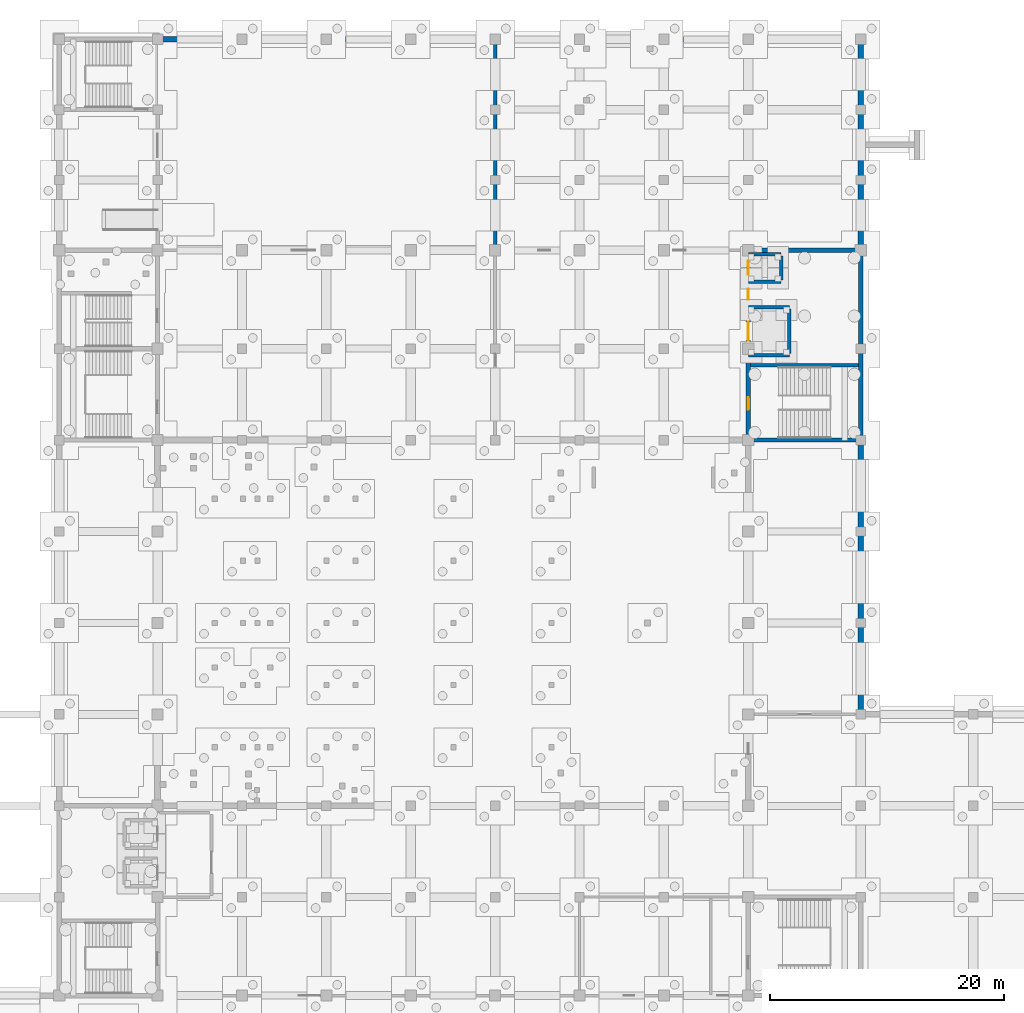
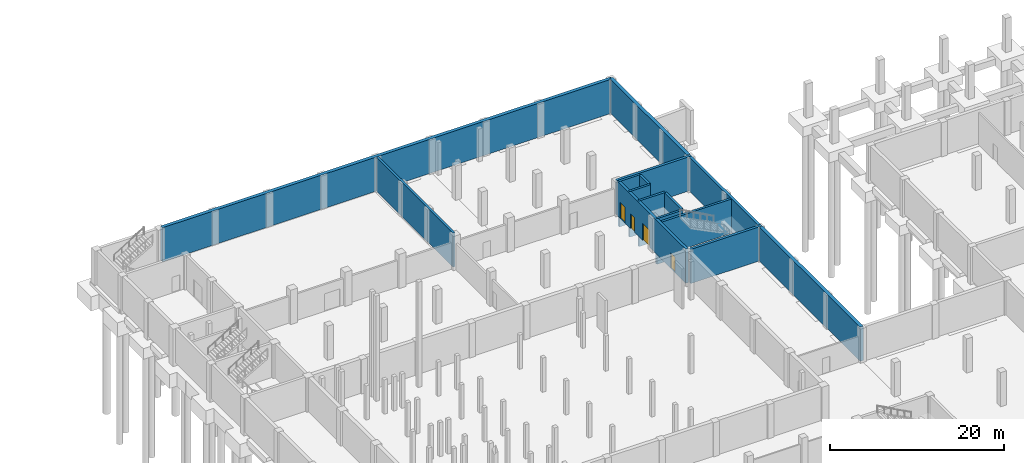
# One storey, part 33 of 42: 15 walls, 4 doors, 4 openings.
"""IFC4 building model written with IfcOpenShell, lengths in metres."""

from ifc_helpers import new_model, si_unit, direction, frame, frame_2d, origin, place, context, subcontext, project, spatial, rectangle, extrude, material, layer, layer_set, type_object, element, fill, save


model = new_model("IFC4")

# Units and contexts
model_context = context("Model", 3, precision=1e-05, world=origin(), true_north=direction((0.0, 1.0)))
body_context = subcontext(model_context, "Body", "Model", "MODEL_VIEW")
ifc_project = project(units=[si_unit("LENGTHUNIT", "METRE"), si_unit("AREAUNIT", "SQUARE_METRE"), si_unit("VOLUMEUNIT", "CUBIC_METRE"), si_unit("PLANEANGLEUNIT", "RADIAN"), si_unit("MASSUNIT", "GRAM", prefix="KILO")], contexts=[model_context])

# Site, building, storey
site_placement = place(None, origin())
site = spatial("IfcSite", under=ifc_project, at=site_placement, CompositionType="ELEMENT")
building_placement = place(site_placement, origin())
building = spatial("IfcBuilding", under=site, at=building_placement, Name="Pellamere Symphony Hall", CompositionType="ELEMENT")
storey_placement = place(building_placement, frame((0.0, 0.0, -4.800048828125)))
storey = spatial("IfcBuildingStorey", under=building, at=storey_placement, Name="B1", CompositionType="ELEMENT", Elevation=-4.800048828125)

# Walls
ifc_material_1 = material(Name="Concrete 40 MPa", Category="concrete")
ifc_layer_1 = layer(ifc_material_1, 0.449951171875, Name="Concrete 40 MPa")
ifc_layer_set_1 = layer_set([ifc_layer_1], Name="Concrete 40 MPa")
wall_type_1 = type_object("IfcWallType", Name="Structural Wall SW-01 450mm", PredefinedType="USERDEFINED", material=ifc_layer_set_1)
wall_1_placement = place(storey_placement, frame((59.050048828125, 111.60009765625, 0.0), z_axis=(0.0, 0.0, 1.0), x_axis=(1.0, 0.0, 0.0)))
element("IfcWall", 1, at=wall_1_placement, inside=storey, type_object=wall_type_1, Name="Basement Retaining Wall RW-05", ObjectType="RETAINING", PredefinedType="USERDEFINED", context=body_context, shape_type="SweptSolid", body=[
    extrude(rectangle(XDim=59.75, YDim=0.449951171875, at=frame_2d((29.875, 0.0))), origin(), (0.0, 0.0, 1.0), 4.800048828125),
])
wall_2_placement = place(storey_placement, frame((118.800048828125, 111.60009765625, 0.0), z_axis=(0.0, 0.0, 1.0), x_axis=(0.0, -1.0, 0.0)))
element("IfcWall", 2, at=wall_2_placement, inside=storey, type_object=wall_type_1, Name="Basement Retaining Wall RW-06", ObjectType="RETAINING", PredefinedType="USERDEFINED", context=body_context, shape_type="SweptSolid", body=[
    extrude(rectangle(XDim=17.75, YDim=0.449951171875, at=frame_2d((8.875, 0.0))), origin(), (0.0, 0.0, 1.0), 4.800048828125),
])
wall_3_placement = place(storey_placement, frame((118.800048828125, 77.14990234375, 0.0), z_axis=(0.0, 0.0, 1.0), x_axis=(0.0, -1.0, 0.0)))
element("IfcWall", 3, at=wall_3_placement, inside=storey, type_object=wall_type_1, Name="Basement Retaining Wall RW-07", ObjectType="RETAINING", PredefinedType="USERDEFINED", context=body_context, shape_type="SweptSolid", body=[
    extrude(rectangle(XDim=23.14990234375, YDim=0.449951171875, at=frame_2d((11.574951171875, 0.0))), origin(), (0.0, 0.0, 1.0), 4.800048828125),
])
ifc_layer_2 = layer(ifc_material_1, 0.35009765625, Name="Concrete 40 MPa")
ifc_layer_set_2 = layer_set([ifc_layer_2], Name="Concrete 40 MPa")
wall_type_2 = type_object("IfcWallType", Name="Structural Wall SW-03 350mm", PredefinedType="SHEAR", material=ifc_layer_set_2)
wall_4_placement = place(storey_placement, frame((109.52001953125, 77.39990234375, 0.0), z_axis=(0.0, 0.0, 1.0), x_axis=(1.0, 0.0, 0.0)))
element("IfcWall", 4, at=wall_4_placement, inside=storey, type_object=wall_type_2, Name="Core Shear Wall C4 S (B1)", PredefinedType="SHEAR", context=body_context, shape_type="SweptSolid", body=[
    extrude(rectangle(XDim=9.455078125, YDim=0.35009765625, at=frame_2d((4.7275390625, 0.0))), origin(), (0.0, 0.0, 1.0), 4.800048828125),
])
wall_5_placement = place(storey_placement, frame((109.02490234375, 93.60009765625, 0.0), z_axis=(0.0, 0.0, 1.0), x_axis=(1.0, 0.0, 0.0)))
element("IfcWall", 5, at=wall_5_placement, inside=storey, type_object=wall_type_2, Name="Core Shear Wall C4 N (B1)", PredefinedType="SHEAR", context=body_context, shape_type="SweptSolid", body=[
    extrude(rectangle(XDim=9.9501953125, YDim=0.35009765625, at=frame_2d((4.97509765625, 0.0))), origin(), (0.0, 0.0, 1.0), 4.800048828125),
])

# Wall, openings, doors
wall_6_placement = place(storey_placement, frame((109.199951171875, 77.574951171875, 0.0), z_axis=(0.0, 0.0, 1.0), x_axis=(0.0, 1.0, 0.0)))
wall_6 = element("IfcWall", 6, at=wall_6_placement, inside=storey, type_object=wall_type_2, Name="Core Shear Wall C4 W (B1)", PredefinedType="SHEAR", context=body_context, shape_type="SweptSolid", body=[
    extrude(rectangle(XDim=15.85009765625, YDim=0.35009765625, at=frame_2d((7.925048828125, 0.0))), origin(), (0.0, 0.0, 1.0), 4.800048828125),
])
opening_1_placement = place(wall_6_placement, frame((8.324951171875, 0.0, 0.0)))
opening_1 = element("IfcOpeningElement", 7, at=opening_1_placement, cuts=wall_6, Name="Opening LD-45", PredefinedType="OPENING", context=body_context, shape_type="SweptSolid", body=[
    extrude(rectangle(XDim=1.60009765625, YDim=2.39990234375, at=frame_2d((0.800048828125, 1.199951171875))), frame((0.0, 0.18505859375, 0.0), z_axis=(0.0, -1.0, 0.0), x_axis=(1.0, 0.0, 0.0)), (0.0, 0.0, 1.0), 0.3701171875),
])
opening_2_placement = place(wall_6_placement, frame((13.925048828125, 0.0, 0.0)))
opening_2 = element("IfcOpeningElement", 8, at=opening_2_placement, cuts=wall_6, Name="Opening LD-50", PredefinedType="OPENING", context=body_context, shape_type="SweptSolid", body=[
    extrude(rectangle(XDim=1.199951171875, YDim=2.199951171875, at=frame_2d((0.60009765625, 1.10009765625))), frame((0.0, 0.18505859375, 0.0), z_axis=(0.0, -1.0, 0.0), x_axis=(1.0, 0.0, 0.0)), (0.0, 0.0, 1.0), 0.3701171875),
])
opening_3_placement = place(wall_6_placement, frame((11.7900390625, 0.0, 0.0)))
opening_3 = element("IfcOpeningElement", 9, at=opening_3_placement, cuts=wall_6, Name="Opening FD-122", PredefinedType="OPENING", context=body_context, shape_type="SweptSolid", body=[
    extrude(rectangle(XDim=0.949951171875, YDim=2.10009765625, at=frame_2d((0.47509765625, 1.050048828125))), frame((0.0, 0.18505859375, 0.0), z_axis=(0.0, -1.0, 0.0), x_axis=(1.0, 0.0, 0.0)), (0.0, 0.0, 1.0), 0.3701171875),
])
opening_4_placement = place(wall_6_placement, frame((2.39990234375, 0.0, 0.0)))
opening_4 = element("IfcOpeningElement", 10, at=opening_4_placement, cuts=wall_6, Name="Opening SD-17", PredefinedType="OPENING", context=body_context, shape_type="SweptSolid", body=[
    extrude(rectangle(XDim=1.10009765625, YDim=2.199951171875, at=frame_2d((0.550048828125, 1.10009765625))), frame((0.0, 0.18505859375, 0.0), z_axis=(0.0, -1.0, 0.0), x_axis=(1.0, 0.0, 0.0)), (0.0, 0.0, 1.0), 0.3701171875),
])
ifc_material_2 = material(Name="Two-Hour Fire-Rated Steel Compartment Door", Category="steel")
door_type_1 = type_object("IfcDoorType", Name="Interior Door ID-FD3 950x2100", OperationType="NOTDEFINED", PredefinedType="DOOR", material=ifc_material_2)
door_1_placement = place(opening_3_placement, origin())
door_1 = element("IfcDoor", 11, at=door_1_placement, inside=storey, type_object=door_type_1, Name="Core C4 Stage Service and Riser Door (B1)", OperationType="SINGLE_SWING_LEFT", OverallHeight=2.10009765625, OverallWidth=0.949951171875, PredefinedType="DOOR", context=body_context, shape_type="SweptSolid", body=[
    extrude(rectangle(XDim=0.949951171875, YDim=2.10009765625, at=frame_2d((0.47509765625, 1.050048828125))), frame((0.0, 0.02490234375, 0.0), z_axis=(0.0, -1.0, 0.0), x_axis=(1.0, 0.0, 0.0)), (0.0, 0.0, 1.0), 0.050048828125),
])
fill(opening_3, door_1)
ifc_material_3 = material(Name="Stainless Steel AISI 316 Elevator Landing Door", Category="steel")
door_type_2 = type_object("IfcDoorType", Name="Interior Door ID-LD1 1200x2200", OperationType="NOTDEFINED", PredefinedType="DOOR", material=ifc_material_3)
door_2_placement = place(opening_2_placement, origin())
door_2 = element("IfcDoor", 12, at=door_2_placement, inside=storey, type_object=door_type_2, Name="Elevator PL6 Sliding Landing Door (B1)", OperationType="SLIDING_TO_RIGHT", OverallHeight=2.199951171875, OverallWidth=1.199951171875, PredefinedType="DOOR", context=body_context, shape_type="SweptSolid", body=[
    extrude(rectangle(XDim=1.199951171875, YDim=2.199951171875, at=frame_2d((0.60009765625, 1.10009765625))), frame((0.0, 0.02490234375, 0.0), z_axis=(0.0, -1.0, 0.0), x_axis=(1.0, 0.0, 0.0)), (0.0, 0.0, 1.0), 0.050048828125),
])
fill(opening_2, door_2)
ifc_material_4 = material(Name="Heavy-Duty Stainless Freight Elevator Landing Door", Category="steel")
door_type_3 = type_object("IfcDoorType", Name="Interior Door ID-LD2 1600x2400", OperationType="NOTDEFINED", PredefinedType="DOOR", material=ifc_material_4)
door_3_placement = place(opening_1_placement, origin())
door_3 = element("IfcDoor", 13, at=door_3_placement, inside=storey, type_object=door_type_3, Name="Elevator GL1 Sliding Landing Door (B1)", OperationType="SLIDING_TO_LEFT", OverallHeight=2.39990234375, OverallWidth=1.60009765625, PredefinedType="DOOR", context=body_context, shape_type="SweptSolid", body=[
    extrude(rectangle(XDim=1.60009765625, YDim=2.39990234375, at=frame_2d((0.800048828125, 1.199951171875))), frame((0.0, 0.02490234375, 0.0), z_axis=(0.0, -1.0, 0.0), x_axis=(1.0, 0.0, 0.0)), (0.0, 0.0, 1.0), 0.050048828125),
])
fill(opening_1, door_3)
ifc_material_5 = material(Name="Fire-Rated Steel Exit Stair Door", Category="steel")
door_type_4 = type_object("IfcDoorType", Name="Interior Door ID-SD1 1100x2200", OperationType="NOTDEFINED", PredefinedType="DOOR", material=ifc_material_5)
door_4_placement = place(opening_4_placement, frame((1.10009765625, 0.0, 0.0), z_axis=(0.0, 0.0, 1.0), x_axis=(-1.0, 0.0, 0.0)))
door_4 = element("IfcDoor", 14, at=door_4_placement, inside=storey, type_object=door_type_4, Name="Core C4 Exit Stair Door (B1)", OperationType="SINGLE_SWING_LEFT", OverallHeight=2.199951171875, OverallWidth=1.10009765625, PredefinedType="DOOR", context=body_context, shape_type="SweptSolid", body=[
    extrude(rectangle(XDim=1.10009765625, YDim=2.199951171875, at=frame_2d((0.550048828125, 1.10009765625))), frame((0.0, 0.02490234375, 0.0), z_axis=(0.0, -1.0, 0.0), x_axis=(1.0, 0.0, 0.0)), (0.0, 0.0, 1.0), 0.050048828125),
])
fill(opening_4, door_4)

# Walls
wall_7_placement = place(storey_placement, frame((118.800048828125, 77.574951171875, 0.0), z_axis=(0.0, 0.0, 1.0), x_axis=(0.0, 1.0, 0.0)))
element("IfcWall", 15, at=wall_7_placement, inside=storey, type_object=wall_type_2, Name="Core Shear Wall C4 E (B1)", PredefinedType="SHEAR", context=body_context, shape_type="SweptSolid", body=[
    extrude(rectangle(XDim=15.85009765625, YDim=0.35009765625, at=frame_2d((7.925048828125, 0.0))), origin(), (0.0, 0.0, 1.0), 4.800048828125),
])
ifc_layer_3 = layer(ifc_material_1, 0.300048828125, Name="Concrete 40 MPa")
ifc_layer_set_3 = layer_set([ifc_layer_3], Name="Concrete 40 MPa")
wall_type_3 = type_object("IfcWallType", Name="Structural Wall SW-04 300mm", PredefinedType="SHEAR", material=ifc_layer_set_3)
wall_8_placement = place(storey_placement, frame((87.60009765625, 93.75, 0.0), z_axis=(0.0, 0.0, 1.0), x_axis=(0.0, 1.0, 0.0)))
element("IfcWall", 16, at=wall_8_placement, inside=storey, type_object=wall_type_3, Name="Rehearsal Hall Acoustic Wall AW3-E (B1)", PredefinedType="SHEAR", context=body_context, shape_type="SweptSolid", body=[
    extrude(rectangle(XDim=17.60009765625, YDim=0.300048828125, at=frame_2d((8.800048828125, 0.0))), origin(), (0.0, 0.0, 1.0), 4.800048828125),
])
for number, where, z_axis, x_axis, name in (
    (17, (109.199951171875, 84.64990234375, -1.599853515625), (0.0, 0.0, 1.0), (1.0, 0.0, 0.0), "Elevator GL1 Hoistway Wall S (B1)"),
    (18, (109.199951171875, 88.75, -1.599853515625), (0.0, 0.0, 1.0), (1.0, 0.0, 0.0), "Elevator GL1 Hoistway Wall N (B1)"),
):
    element("IfcWall", number, at=place(storey_placement, frame(where, z_axis=z_axis, x_axis=x_axis)), inside=storey, type_object=wall_type_3, Name=name, PredefinedType="SHEAR", context=body_context, shape_type="SweptSolid", body=[
        extrude(rectangle(XDim=3.5, YDim=0.300048828125, at=frame_2d((1.75, 0.0))), origin(), (0.0, 0.0, 1.0), 6.39990234375),
    ])
wall_9_placement = place(storey_placement, frame((112.699951171875, 84.800048828125, -1.599853515625), z_axis=(0.0, 0.0, 1.0), x_axis=(0.0, 1.0, 0.0)))
element("IfcWall", 19, at=wall_9_placement, inside=storey, type_object=wall_type_3, Name="Elevator GL1 Hoistway Wall E (B1)", PredefinedType="SHEAR", context=body_context, shape_type="SweptSolid", body=[
    extrude(rectangle(XDim=3.800048828125, YDim=0.300048828125, at=frame_2d((1.89990234375, 0.0))), origin(), (0.0, 0.0, 1.0), 6.39990234375),
])
for number, where, z_axis, x_axis, name in (
    (20, (109.199951171875, 90.925048828125, -1.599853515625), (0.0, 0.0, 1.0), (1.0, 0.0, 0.0), "Elevator PL6 Hoistway Wall S (B1)"),
    (21, (109.199951171875, 93.27490234375, -1.599853515625), (0.0, 0.0, 1.0), (1.0, 0.0, 0.0), "Elevator PL6 Hoistway Wall N (B1)"),
):
    element("IfcWall", number, at=place(storey_placement, frame(where, z_axis=z_axis, x_axis=x_axis)), inside=storey, type_object=wall_type_3, Name=name, PredefinedType="SHEAR", context=body_context, shape_type="SweptSolid", body=[
        extrude(rectangle(XDim=2.800048828125, YDim=0.300048828125, at=frame_2d((1.39990234375, 0.0))), origin(), (0.0, 0.0, 1.0), 6.39990234375),
    ])
wall_10_placement = place(storey_placement, frame((112.0, 91.074951171875, -1.599853515625), z_axis=(0.0, 0.0, 1.0), x_axis=(0.0, 1.0, 0.0)))
element("IfcWall", 22, at=wall_10_placement, inside=storey, type_object=wall_type_3, Name="Elevator PL6 Hoistway Wall E (B1)", PredefinedType="SHEAR", context=body_context, shape_type="SweptSolid", body=[
    extrude(rectangle(XDim=2.050048828125, YDim=0.300048828125, at=frame_2d((1.02490234375, 0.0))), origin(), (0.0, 0.0, 1.0), 6.39990234375),
])
ifc_layer_4 = layer(ifc_material_1, 0.31005859375, Name="Concrete 40 MPa")
ifc_layer_set_4 = layer_set([ifc_layer_4], Name="Concrete 40 MPa")
wall_type_4 = type_object("IfcWallType", Name="Structural Wall SW-08 310mm", PredefinedType="SHEAR", material=ifc_layer_set_4)
wall_11_placement = place(storey_placement, frame((109.39501953125, 83.800048828125, 0.0), z_axis=(0.0, 0.0, 1.0), x_axis=(1.0, 0.0, 0.0)))
element("IfcWall", 23, at=wall_11_placement, inside=storey, type_object=wall_type_4, Name="Core Stair Divider Wall C4 (B1)", PredefinedType="SHEAR", context=body_context, shape_type="SweptSolid", body=[
    extrude(rectangle(XDim=9.2099609375, YDim=0.31005859375, at=frame_2d((4.60498046875, 0.0))), origin(), (0.0, 0.0, 1.0), 4.800048828125),
])

save(model, "model.ifc")
